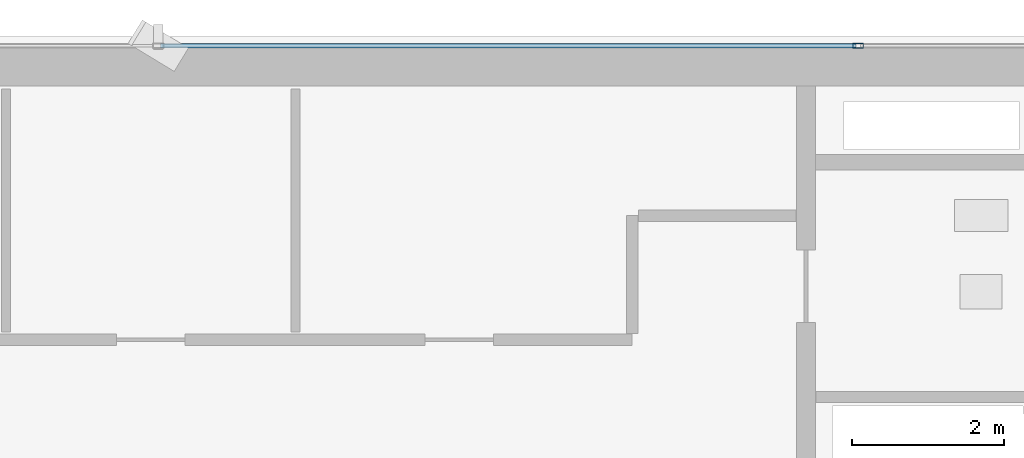
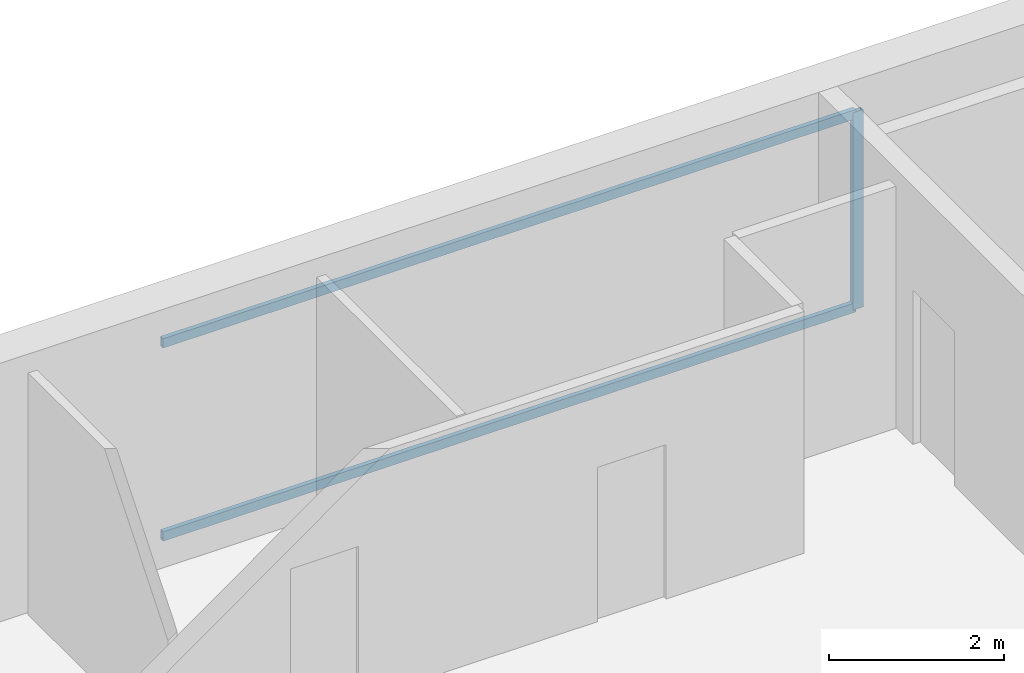
# One storey, part 17 of 25: 3 members, 1 element without a shape of its own.
"""IFC4 building model written with IfcOpenShell, lengths in metres."""

from ifc_helpers import new_model, si_unit, direction, frame, origin, origin_2d, place, context, subcontext, project, spatial, hollow_rectangle, extrude, source, transform, mapped, material, layer, layer_set, material_profile, profile_set, type_object, element, aggregate, save


model = new_model("IFC4")

# Units and contexts
model_context = context("Model", 3, precision=1e-05, world=origin(), true_north=direction((0.0, 1.0)))
body_context = subcontext(model_context, "Body", "Model", "MODEL_VIEW")
ifc_project = project(units=[si_unit("LENGTHUNIT", "METRE"), si_unit("AREAUNIT", "SQUARE_METRE"), si_unit("VOLUMEUNIT", "CUBIC_METRE"), si_unit("PLANEANGLEUNIT", "RADIAN"), si_unit("MASSUNIT", "GRAM", prefix="KILO")], contexts=[model_context])

# Site, building, storey
site_placement = place(None, origin())
site = spatial("IfcSite", under=ifc_project, at=site_placement, CompositionType="ELEMENT")
building_placement = place(site_placement, origin())
building = spatial("IfcBuilding", under=site, at=building_placement, Name="Sumidabori Civic Tower", CompositionType="ELEMENT")
storey_placement = place(building_placement, frame((0.0, 0.0, 232.39990234375)))
storey = spatial("IfcBuildingStorey", under=building, at=storey_placement, Name="L60", CompositionType="ELEMENT", Elevation=232.39990234375)

# Curtain wall, members
ifc_material = material(Name="Anodised Bronze Aluminium AW-6063-T6", Category="aluminium")
ifc_layer = layer(ifc_material, 0.179931640625, Name="Anodised Bronze Aluminium AW-6063-T6")
ifc_layer_set = layer_set([ifc_layer], Name="Anodised Bronze Aluminium AW-6063-T6")
curtain_wall_type = type_object("IfcCurtainWallType", Name="CW-SYS-5", PredefinedType="NOTDEFINED", material=ifc_layer_set)
curtain_wall_placement = place(storey_placement, origin())
curtain_wall = element("IfcCurtainWall", 1, at=curtain_wall_placement, inside=storey, type_object=curtain_wall_type, Name="Curtain Wall CW:L60:R07", PredefinedType="NOTDEFINED")
ifc_material_profile_1 = material_profile(ifc_material, hollow_rectangle(XDim=0.06005859375, YDim=0.1298828125, WallThickness=0.0048828125, at=origin_2d()), Name="ALU TRANSOM 130x60")
ifc_profile_set_1 = profile_set([ifc_material_profile_1], Name="Anodised Bronze Aluminium AW-6063-T6")
member_type_1 = type_object("IfcMemberType", Name="CW-TRN-130", PredefinedType="USERDEFINED", material=ifc_profile_set_1)
shared_shape_1 = source(origin(), body_context, "Body", "SweptSolid", [
    extrude(hollow_rectangle(XDim=0.06005859375, YDim=0.1298828125, WallThickness=0.0048828125, at=origin_2d()), origin(), (0.0, 0.0, 1.0), 9.125),
])
member_1_placement = place(storey_placement, frame((9.155029296875, 24.080078125, 0.030029296875), z_axis=(-1.0, 0.0, 0.0), x_axis=(0.0, -1.0, 0.0)))
member_1 = element("IfcMember", 2, at=member_1_placement, type_object=member_type_1, Name="CW-5 transom 2.1", ObjectType="TRANSOM", PredefinedType="USERDEFINED", context=body_context, shape_type="MappedRepresentation", body=[
    mapped(shared_shape_1, transform((0.0, 0.0, 0.0), x_axis=(1.0, 0.0, 0.0), y_axis=(0.0, 1.0, 0.0), z_axis=(0.0, 0.0, 1.0), scale=1.0)),
])
member_2_placement = place(storey_placement, frame((9.155029296875, 24.080078125, 2.72021484375), z_axis=(-1.0, 0.0, 0.0), x_axis=(0.0, -1.0, 0.0)))
member_2 = element("IfcMember", 3, at=member_2_placement, type_object=member_type_1, Name="CW-5 transom 2.2", ObjectType="TRANSOM", PredefinedType="USERDEFINED", context=body_context, shape_type="MappedRepresentation", body=[
    mapped(shared_shape_1, transform((0.0, 0.0, 0.0), x_axis=(1.0, 0.0, 0.0), y_axis=(0.0, 1.0, 0.0), z_axis=(0.0, 0.0, 1.0), scale=1.0)),
])
ifc_material_profile_2 = material_profile(ifc_material, hollow_rectangle(XDim=0.06005859375, YDim=0.139892578125, WallThickness=0.0048828125, at=origin_2d()), Name="ALU MULLION 140x60")
ifc_profile_set_2 = profile_set([ifc_material_profile_2], Name="Anodised Bronze Aluminium AW-6063-T6")
member_type_2 = type_object("IfcMemberType", Name="CW-MUL-140", PredefinedType="MULLION", material=ifc_profile_set_2)
shared_shape_2 = source(origin(), body_context, "Body", "SweptSolid", [
    extrude(hollow_rectangle(XDim=0.06005859375, YDim=0.139892578125, WallThickness=0.0048828125, at=origin_2d()), origin(), (0.0, 0.0, 1.0), 2.75),
])
member_3_placement = place(storey_placement, frame((9.18505859375, 24.080078125, 0.0), z_axis=(0.0, 0.0, 1.0), x_axis=(0.0, -1.0, 0.0)))
member_3 = element("IfcMember", 4, at=member_3_placement, type_object=member_type_2, Name="CW-5 mullion 2", PredefinedType="MULLION", context=body_context, shape_type="MappedRepresentation", body=[
    mapped(shared_shape_2, transform((0.0, 0.0, 0.0), x_axis=(1.0, 0.0, 0.0), y_axis=(0.0, 1.0, 0.0), z_axis=(0.0, 0.0, 1.0), scale=1.0)),
])
aggregate(curtain_wall, [member_3, member_1, member_2])

save(model, "model.ifc")
